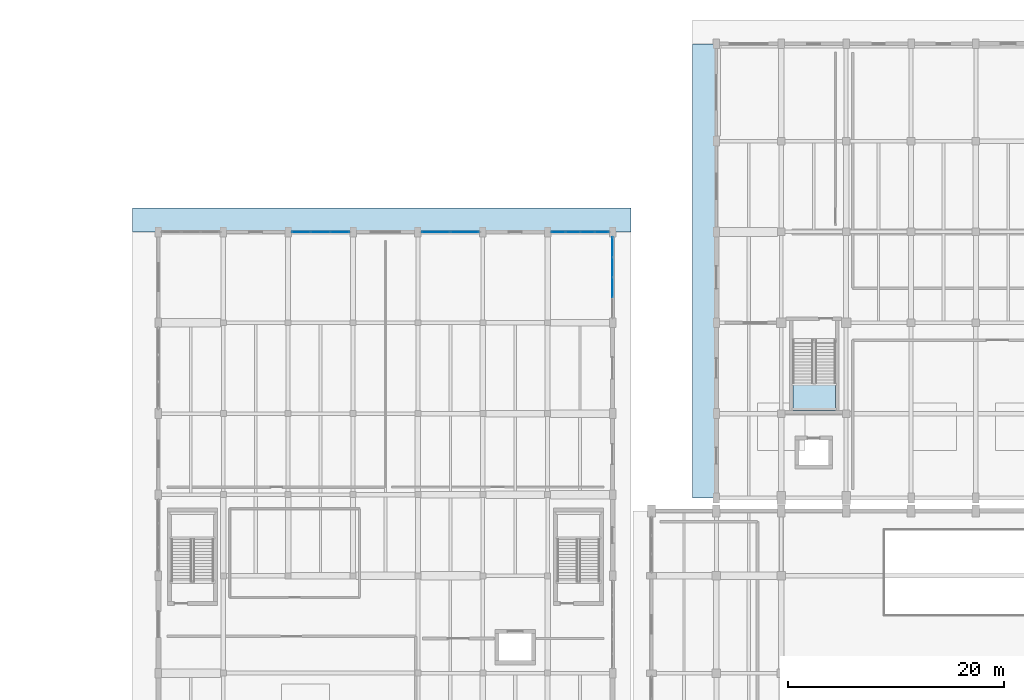
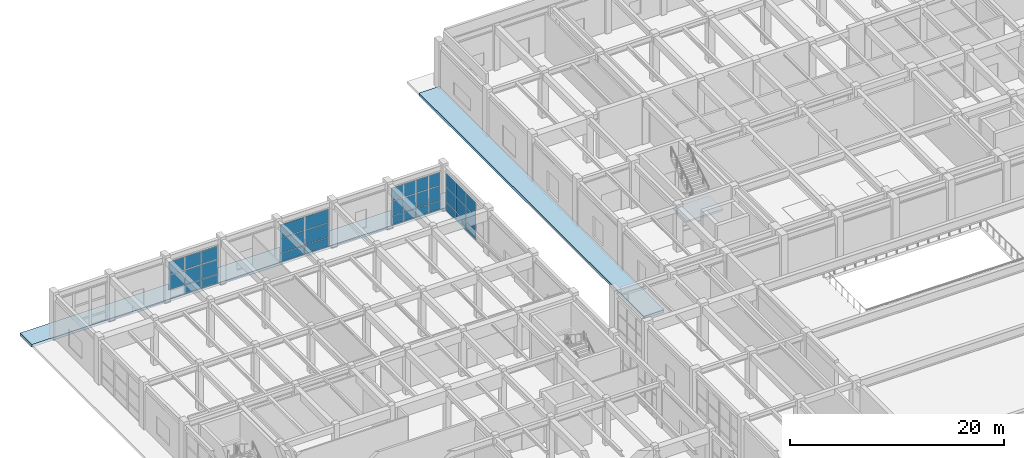
# One storey, part 65 of 91: 35 plates, 3 slabs, 5 elements without a shape of their own.
"""IFC4 building model written with IfcOpenShell, lengths in metres."""

from ifc_helpers import new_model, si_unit, direction, frame, origin, origin_2d, place, context, subcontext, project, spatial, polyline, rectangle, outline, extrude, material, layer, layer_set, type_object, element, aggregate, save


model = new_model("IFC4")

# Units and contexts
model_context = context("Model", 3, precision=1e-05, world=origin(), true_north=direction((0.0, 1.0)))
body_context = subcontext(model_context, "Body", "Model", "MODEL_VIEW")
ifc_project = project(units=[si_unit("LENGTHUNIT", "METRE"), si_unit("AREAUNIT", "SQUARE_METRE"), si_unit("VOLUMEUNIT", "CUBIC_METRE"), si_unit("PLANEANGLEUNIT", "RADIAN"), si_unit("MASSUNIT", "GRAM", prefix="KILO")], contexts=[model_context])

# Site, building, storey
site_placement = place(None, origin())
site = spatial("IfcSite", under=ifc_project, at=site_placement, CompositionType="ELEMENT")
building_placement = place(site_placement, origin())
building = spatial("IfcBuilding", under=site, at=building_placement, Name="Vaelkrest Opera House", CompositionType="ELEMENT")
storey_placement = place(building_placement, origin())
storey = spatial("IfcBuildingStorey", under=building, at=storey_placement, Name="L00", CompositionType="ELEMENT", Elevation=0.0)

# Curtain wall, plates
ifc_material_1 = material(Name="Dark bronze anodized aluminium", Category="aluminium")
ifc_layer_1 = layer(ifc_material_1, 0.18994140625)
ifc_layer_set_1 = layer_set([ifc_layer_1], Name="Dark bronze anodized aluminium")
curtain_wall_type_1 = type_object("IfcCurtainWallType", Name="CW02", PredefinedType="NOTDEFINED", material=ifc_layer_set_1)
curtain_wall_1_placement = place(storey_placement, origin())
curtain_wall_1 = element("IfcCurtainWall", 1, at=curtain_wall_1_placement, inside=storey, type_object=curtain_wall_type_1, Name="Curtain wall CW-L00-095", PredefinedType="NOTDEFINED")
ifc_material_2 = material(Name="Double low-E insulated glazing", Category="glass")
ifc_layer_2 = layer(ifc_material_2, 0.030029296875)
ifc_layer_set_2 = layer_set([ifc_layer_2], Name="Double low-E insulated glazing")
plate_type_1 = type_object("IfcPlateType", Name="CWP02", PredefinedType="CURTAIN_PANEL", material=ifc_layer_set_2)
plate_1_placement = place(storey_placement, frame((-38.60888671875, 42.0, 0.06982421875), z_axis=(0.0, 0.0, 1.0), x_axis=(1.0, 0.0, 0.0)))
plate_1 = element("IfcPlate", 2, at=plate_1_placement, type_object=plate_type_1, Name="CW02 panel 1.1", PredefinedType="CURTAIN_PANEL", context=body_context, shape_type="SweptSolid", body=[
    extrude(rectangle(XDim=1.24609375, YDim=0.030029296875, at=origin_2d()), origin(), (0.0, 0.0, 1.0), 0.945068359375),
])
plate_2_placement = place(storey_placement, frame((-38.60888671875, 42.0, 1.0849609375), z_axis=(0.0, 0.0, 1.0), x_axis=(1.0, 0.0, 0.0)))
plate_2 = element("IfcPlate", 3, at=plate_2_placement, type_object=plate_type_1, Name="CW02 panel 1.2", PredefinedType="CURTAIN_PANEL", context=body_context, shape_type="SweptSolid", body=[
    extrude(rectangle(XDim=1.24609375, YDim=0.030029296875, at=origin_2d()), origin(), (0.0, 0.0, 1.0), 1.6298828125),
])
plate_3_placement = place(storey_placement, frame((-38.60888671875, 42.0, 2.78515625), z_axis=(0.0, 0.0, 1.0), x_axis=(1.0, 0.0, 0.0)))
plate_3 = element("IfcPlate", 4, at=plate_3_placement, type_object=plate_type_1, Name="CW02 panel 1.3", PredefinedType="CURTAIN_PANEL", context=body_context, shape_type="SweptSolid", body=[
    extrude(rectangle(XDim=1.24609375, YDim=0.030029296875, at=origin_2d()), origin(), (0.0, 0.0, 1.0), 1.489990234375),
])
plate_4_placement = place(storey_placement, frame((-37.275390625, 42.0, 0.06982421875), z_axis=(0.0, 0.0, 1.0), x_axis=(1.0, 0.0, 0.0)))
plate_4 = element("IfcPlate", 5, at=plate_4_placement, type_object=plate_type_1, Name="CW02 panel 2.1", PredefinedType="CURTAIN_PANEL", context=body_context, shape_type="SweptSolid", body=[
    extrude(rectangle(XDim=1.281005859375, YDim=0.030029296875, at=origin_2d()), origin(), (0.0, 0.0, 1.0), 0.945068359375),
])
plate_5_placement = place(storey_placement, frame((-37.275390625, 42.0, 1.0849609375), z_axis=(0.0, 0.0, 1.0), x_axis=(1.0, 0.0, 0.0)))
plate_5 = element("IfcPlate", 6, at=plate_5_placement, type_object=plate_type_1, Name="CW02 panel 2.2", PredefinedType="CURTAIN_PANEL", context=body_context, shape_type="SweptSolid", body=[
    extrude(rectangle(XDim=1.281005859375, YDim=0.030029296875, at=origin_2d()), origin(), (0.0, 0.0, 1.0), 1.6298828125),
])
plate_6_placement = place(storey_placement, frame((-37.275390625, 42.0, 2.78515625), z_axis=(0.0, 0.0, 1.0), x_axis=(1.0, 0.0, 0.0)))
plate_6 = element("IfcPlate", 7, at=plate_6_placement, type_object=plate_type_1, Name="CW02 panel 2.3", PredefinedType="CURTAIN_PANEL", context=body_context, shape_type="SweptSolid", body=[
    extrude(rectangle(XDim=1.281005859375, YDim=0.030029296875, at=origin_2d()), origin(), (0.0, 0.0, 1.0), 1.489990234375),
])
plate_7_placement = place(storey_placement, frame((-35.924560546875, 42.0, 0.06982421875), z_axis=(0.0, 0.0, 1.0), x_axis=(1.0, 0.0, 0.0)))
plate_7 = element("IfcPlate", 8, at=plate_7_placement, type_object=plate_type_1, Name="CW02 panel 3.1", PredefinedType="CURTAIN_PANEL", context=body_context, shape_type="SweptSolid", body=[
    extrude(rectangle(XDim=1.281005859375, YDim=0.030029296875, at=origin_2d()), origin(), (0.0, 0.0, 1.0), 0.945068359375),
])
plate_8_placement = place(storey_placement, frame((-35.924560546875, 42.0, 1.0849609375), z_axis=(0.0, 0.0, 1.0), x_axis=(1.0, 0.0, 0.0)))
plate_8 = element("IfcPlate", 9, at=plate_8_placement, type_object=plate_type_1, Name="CW02 panel 3.2", PredefinedType="CURTAIN_PANEL", context=body_context, shape_type="SweptSolid", body=[
    extrude(rectangle(XDim=1.281005859375, YDim=0.030029296875, at=origin_2d()), origin(), (0.0, 0.0, 1.0), 1.6298828125),
])
plate_9_placement = place(storey_placement, frame((-35.924560546875, 42.0, 2.78515625), z_axis=(0.0, 0.0, 1.0), x_axis=(1.0, 0.0, 0.0)))
plate_9 = element("IfcPlate", 10, at=plate_9_placement, type_object=plate_type_1, Name="CW02 panel 3.3", PredefinedType="CURTAIN_PANEL", context=body_context, shape_type="SweptSolid", body=[
    extrude(rectangle(XDim=1.281005859375, YDim=0.030029296875, at=origin_2d()), origin(), (0.0, 0.0, 1.0), 1.489990234375),
])
plate_10_placement = place(storey_placement, frame((-34.591064453125, 42.0, 0.06982421875), z_axis=(0.0, 0.0, 1.0), x_axis=(1.0, 0.0, 0.0)))
plate_10 = element("IfcPlate", 11, at=plate_10_placement, type_object=plate_type_1, Name="CW02 panel 4.1", PredefinedType="CURTAIN_PANEL", context=body_context, shape_type="SweptSolid", body=[
    extrude(rectangle(XDim=1.24609375, YDim=0.030029296875, at=origin_2d()), origin(), (0.0, 0.0, 1.0), 0.945068359375),
])
plate_11_placement = place(storey_placement, frame((-34.591064453125, 42.0, 1.0849609375), z_axis=(0.0, 0.0, 1.0), x_axis=(1.0, 0.0, 0.0)))
plate_11 = element("IfcPlate", 12, at=plate_11_placement, type_object=plate_type_1, Name="CW02 panel 4.2", PredefinedType="CURTAIN_PANEL", context=body_context, shape_type="SweptSolid", body=[
    extrude(rectangle(XDim=1.24609375, YDim=0.030029296875, at=origin_2d()), origin(), (0.0, 0.0, 1.0), 1.6298828125),
])
plate_12_placement = place(storey_placement, frame((-34.591064453125, 42.0, 2.78515625), z_axis=(0.0, 0.0, 1.0), x_axis=(1.0, 0.0, 0.0)))
plate_12 = element("IfcPlate", 13, at=plate_12_placement, type_object=plate_type_1, Name="CW02 panel 4.3", PredefinedType="CURTAIN_PANEL", context=body_context, shape_type="SweptSolid", body=[
    extrude(rectangle(XDim=1.24609375, YDim=0.030029296875, at=origin_2d()), origin(), (0.0, 0.0, 1.0), 1.489990234375),
])
aggregate(curtain_wall_1, [plate_1, plate_2, plate_3, plate_4, plate_5, plate_6, plate_7, plate_8, plate_9, plate_10, plate_11, plate_12])

ifc_layer_3 = layer(ifc_material_1, 0.219970703125)
ifc_layer_set_3 = layer_set([ifc_layer_3], Name="Dark bronze anodized aluminium")
curtain_wall_type_2 = type_object("IfcCurtainWallType", Name="CW05", PredefinedType="NOTDEFINED", material=ifc_layer_set_3)
curtain_wall_2_placement = place(storey_placement, origin())
curtain_wall_2 = element("IfcCurtainWall", 14, at=curtain_wall_2_placement, inside=storey, type_object=curtain_wall_type_2, Name="Curtain wall CW-L00-096", PredefinedType="NOTDEFINED")
ifc_layer_4 = layer(ifc_material_2, 0.0419921875)
ifc_layer_set_4 = layer_set([ifc_layer_4], Name="Double low-E insulated glazing")
plate_type_2 = type_object("IfcPlateType", Name="CWP05", PredefinedType="CURTAIN_PANEL", material=ifc_layer_set_4)
plate_13_placement = place(storey_placement, frame((-33.60009765625, 40.59765625, 0.074951171875), z_axis=(0.0, 0.0, 1.0), x_axis=(0.0, -1.0, 0.0)))
plate_13 = element("IfcPlate", 15, at=plate_13_placement, type_object=plate_type_2, Name="CW05 panel 1.1", PredefinedType="CURTAIN_PANEL", context=body_context, shape_type="SweptSolid", body=[
    extrude(rectangle(XDim=1.778564453125, YDim=0.0419921875, at=origin_2d()), origin(), (0.0, 0.0, 1.0), 0.9375),
])
plate_14_placement = place(storey_placement, frame((-33.60009765625, 40.59765625, 1.08740234375), z_axis=(0.0, 0.0, 1.0), x_axis=(0.0, -1.0, 0.0)))
plate_14 = element("IfcPlate", 16, at=plate_14_placement, type_object=plate_type_2, Name="CW05 panel 1.2", PredefinedType="CURTAIN_PANEL", context=body_context, shape_type="SweptSolid", body=[
    extrude(rectangle(XDim=1.778564453125, YDim=0.0419921875, at=origin_2d()), origin(), (0.0, 0.0, 1.0), 1.625),
])
plate_15_placement = place(storey_placement, frame((-33.60009765625, 40.59765625, 2.78759765625), z_axis=(0.0, 0.0, 1.0), x_axis=(0.0, -1.0, 0.0)))
plate_15 = element("IfcPlate", 17, at=plate_15_placement, type_object=plate_type_2, Name="CW05 panel 1.3", PredefinedType="CURTAIN_PANEL", context=body_context, shape_type="SweptSolid", body=[
    extrude(rectangle(XDim=1.778564453125, YDim=0.0419921875, at=origin_2d()), origin(), (0.0, 0.0, 1.0), 1.56640625),
])
plate_16_placement = place(storey_placement, frame((-33.60009765625, 38.738037109375, 0.074951171875), z_axis=(0.0, 0.0, 1.0), x_axis=(0.0, -1.0, 0.0)))
plate_16 = element("IfcPlate", 18, at=plate_16_placement, type_object=plate_type_2, Name="CW05 panel 2.1", PredefinedType="CURTAIN_PANEL", context=body_context, shape_type="SweptSolid", body=[
    extrude(rectangle(XDim=1.81103515625, YDim=0.0419921875, at=origin_2d()), origin(), (0.0, 0.0, 1.0), 0.9375),
])
plate_17_placement = place(storey_placement, frame((-33.60009765625, 38.738037109375, 1.08740234375), z_axis=(0.0, 0.0, 1.0), x_axis=(0.0, -1.0, 0.0)))
plate_17 = element("IfcPlate", 19, at=plate_17_placement, type_object=plate_type_2, Name="CW05 panel 2.2", PredefinedType="CURTAIN_PANEL", context=body_context, shape_type="SweptSolid", body=[
    extrude(rectangle(XDim=1.81103515625, YDim=0.0419921875, at=origin_2d()), origin(), (0.0, 0.0, 1.0), 1.625),
])
plate_18_placement = place(storey_placement, frame((-33.60009765625, 38.738037109375, 2.78759765625), z_axis=(0.0, 0.0, 1.0), x_axis=(0.0, -1.0, 0.0)))
plate_18 = element("IfcPlate", 20, at=plate_18_placement, type_object=plate_type_2, Name="CW05 panel 2.3", PredefinedType="CURTAIN_PANEL", context=body_context, shape_type="SweptSolid", body=[
    extrude(rectangle(XDim=1.81103515625, YDim=0.0419921875, at=origin_2d()), origin(), (0.0, 0.0, 1.0), 1.56640625),
])
plate_19_placement = place(storey_placement, frame((-33.60009765625, 36.862060546875, 0.074951171875), z_axis=(0.0, 0.0, 1.0), x_axis=(0.0, -1.0, 0.0)))
plate_19 = element("IfcPlate", 21, at=plate_19_placement, type_object=plate_type_2, Name="CW05 panel 3.1", PredefinedType="CURTAIN_PANEL", context=body_context, shape_type="SweptSolid", body=[
    extrude(rectangle(XDim=1.81103515625, YDim=0.0419921875, at=origin_2d()), origin(), (0.0, 0.0, 1.0), 0.9375),
])
plate_20_placement = place(storey_placement, frame((-33.60009765625, 36.862060546875, 1.08740234375), z_axis=(0.0, 0.0, 1.0), x_axis=(0.0, -1.0, 0.0)))
plate_20 = element("IfcPlate", 22, at=plate_20_placement, type_object=plate_type_2, Name="CW05 panel 3.2", PredefinedType="CURTAIN_PANEL", context=body_context, shape_type="SweptSolid", body=[
    extrude(rectangle(XDim=1.81103515625, YDim=0.0419921875, at=origin_2d()), origin(), (0.0, 0.0, 1.0), 1.625),
])
plate_21_placement = place(storey_placement, frame((-33.60009765625, 36.862060546875, 2.78759765625), z_axis=(0.0, 0.0, 1.0), x_axis=(0.0, -1.0, 0.0)))
plate_21 = element("IfcPlate", 23, at=plate_21_placement, type_object=plate_type_2, Name="CW05 panel 3.3", PredefinedType="CURTAIN_PANEL", context=body_context, shape_type="SweptSolid", body=[
    extrude(rectangle(XDim=1.81103515625, YDim=0.0419921875, at=origin_2d()), origin(), (0.0, 0.0, 1.0), 1.56640625),
])
aggregate(curtain_wall_2, [plate_13, plate_14, plate_15, plate_16, plate_17, plate_18, plate_19, plate_20, plate_21])

ifc_layer_5 = layer(ifc_material_1, 0.22998046875)
ifc_layer_set_5 = layer_set([ifc_layer_5], Name="Dark bronze anodized aluminium")
curtain_wall_type_3 = type_object("IfcCurtainWallType", Name="CW06", PredefinedType="NOTDEFINED", material=ifc_layer_set_5)
curtain_wall_3_placement = place(storey_placement, origin())
curtain_wall_3 = element("IfcCurtainWall", 24, at=curtain_wall_3_placement, inside=storey, type_object=curtain_wall_type_3, Name="Curtain wall CW-L00-093", PredefinedType="NOTDEFINED")
ifc_material_3 = material(Name="Dark bronze anodized aluminium spandrel", Category="aluminium")
ifc_layer_6 = layer(ifc_material_3, 0.0458984375)
ifc_layer_set_6 = layer_set([ifc_layer_6], Name="Dark bronze anodized aluminium spandrel")
plate_type_3 = type_object("IfcPlateType", Name="CWP06", PredefinedType="CURTAIN_PANEL", material=ifc_layer_set_6)
plate_22_placement = place(storey_placement, frame((-62.3837890625, 42.0, 1.08984375), z_axis=(0.0, 0.0, 1.0), x_axis=(1.0, 0.0, 0.0)))
plate_22 = element("IfcPlate", 25, at=plate_22_placement, type_object=plate_type_3, Name="CW06 panel 1.2", PredefinedType="CURTAIN_PANEL", context=body_context, shape_type="SweptSolid", body=[
    extrude(rectangle(XDim=1.6962890625, YDim=0.0458984375, at=origin_2d()), origin(), (0.0, 0.0, 1.0), 1.6201171875),
])
plate_23_placement = place(storey_placement, frame((-62.3837890625, 42.0, 2.7900390625), z_axis=(0.0, 0.0, 1.0), x_axis=(1.0, 0.0, 0.0)))
plate_23 = element("IfcPlate", 26, at=plate_23_placement, type_object=plate_type_3, Name="CW06 panel 1.3", PredefinedType="CURTAIN_PANEL", context=body_context, shape_type="SweptSolid", body=[
    extrude(rectangle(XDim=1.6962890625, YDim=0.0458984375, at=origin_2d()), origin(), (0.0, 0.0, 1.0), 1.47509765625),
])
plate_24_placement = place(storey_placement, frame((-60.60009765625, 42.0, 0.080078125), z_axis=(0.0, 0.0, 1.0), x_axis=(1.0, 0.0, 0.0)))
plate_24 = element("IfcPlate", 27, at=plate_24_placement, type_object=plate_type_3, Name="CW06 panel 2.1", PredefinedType="CURTAIN_PANEL", context=body_context, shape_type="SweptSolid", body=[
    extrude(rectangle(XDim=1.7314453125, YDim=0.0458984375, at=origin_2d()), origin(), (0.0, 0.0, 1.0), 0.929931640625),
])
plate_25_placement = place(storey_placement, frame((-60.60009765625, 42.0, 1.08984375), z_axis=(0.0, 0.0, 1.0), x_axis=(1.0, 0.0, 0.0)))
plate_25 = element("IfcPlate", 28, at=plate_25_placement, type_object=plate_type_3, Name="CW06 panel 2.2", PredefinedType="CURTAIN_PANEL", context=body_context, shape_type="SweptSolid", body=[
    extrude(rectangle(XDim=1.7314453125, YDim=0.0458984375, at=origin_2d()), origin(), (0.0, 0.0, 1.0), 1.6201171875),
])
plate_26_placement = place(storey_placement, frame((-60.60009765625, 42.0, 2.7900390625), z_axis=(0.0, 0.0, 1.0), x_axis=(1.0, 0.0, 0.0)))
plate_26 = element("IfcPlate", 29, at=plate_26_placement, type_object=plate_type_3, Name="CW06 panel 2.3", PredefinedType="CURTAIN_PANEL", context=body_context, shape_type="SweptSolid", body=[
    extrude(rectangle(XDim=1.7314453125, YDim=0.0458984375, at=origin_2d()), origin(), (0.0, 0.0, 1.0), 1.47509765625),
])
plate_27_placement = place(storey_placement, frame((-58.816162109375, 42.0, 0.080078125), z_axis=(0.0, 0.0, 1.0), x_axis=(1.0, 0.0, 0.0)))
plate_27 = element("IfcPlate", 30, at=plate_27_placement, type_object=plate_type_3, Name="CW06 panel 3.1", PredefinedType="CURTAIN_PANEL", context=body_context, shape_type="SweptSolid", body=[
    extrude(rectangle(XDim=1.6962890625, YDim=0.0458984375, at=origin_2d()), origin(), (0.0, 0.0, 1.0), 0.929931640625),
])
plate_28_placement = place(storey_placement, frame((-58.816162109375, 42.0, 1.08984375), z_axis=(0.0, 0.0, 1.0), x_axis=(1.0, 0.0, 0.0)))
plate_28 = element("IfcPlate", 31, at=plate_28_placement, type_object=plate_type_3, Name="CW06 panel 3.2", PredefinedType="CURTAIN_PANEL", context=body_context, shape_type="SweptSolid", body=[
    extrude(rectangle(XDim=1.6962890625, YDim=0.0458984375, at=origin_2d()), origin(), (0.0, 0.0, 1.0), 1.6201171875),
])
plate_29_placement = place(storey_placement, frame((-58.816162109375, 42.0, 2.7900390625), z_axis=(0.0, 0.0, 1.0), x_axis=(1.0, 0.0, 0.0)))
plate_29 = element("IfcPlate", 32, at=plate_29_placement, type_object=plate_type_3, Name="CW06 panel 3.3", PredefinedType="CURTAIN_PANEL", context=body_context, shape_type="SweptSolid", body=[
    extrude(rectangle(XDim=1.6962890625, YDim=0.0458984375, at=origin_2d()), origin(), (0.0, 0.0, 1.0), 1.47509765625),
])
aggregate(curtain_wall_3, [plate_22, plate_23, plate_24, plate_25, plate_26, plate_27, plate_28, plate_29])

ifc_layer_7 = layer(ifc_material_1, 0.25)
ifc_layer_set_7 = layer_set([ifc_layer_7], Name="Dark bronze anodized aluminium")
curtain_wall_type_4 = type_object("IfcCurtainWallType", Name="CW08", PredefinedType="NOTDEFINED", material=ifc_layer_set_7)
curtain_wall_4_placement = place(storey_placement, origin())
curtain_wall_4 = element("IfcCurtainWall", 33, at=curtain_wall_4_placement, inside=storey, type_object=curtain_wall_type_4, Name="Curtain wall CW-L00-094", PredefinedType="NOTDEFINED")
ifc_layer_8 = layer(ifc_material_3, 0.05810546875)
ifc_layer_set_8 = layer_set([ifc_layer_8], Name="Dark bronze anodized aluminium spandrel")
plate_type_4 = type_object("IfcPlateType", Name="CWP08", PredefinedType="CURTAIN_PANEL", material=ifc_layer_set_8)
plate_30_placement = place(storey_placement, frame((-49.930908203125, 42.0, 0.06982421875), z_axis=(0.0, 0.0, 1.0), x_axis=(1.0, 0.0, 0.0)))
plate_30 = element("IfcPlate", 34, at=plate_30_placement, type_object=plate_type_4, Name="CW08 panel 1.1", PredefinedType="CURTAIN_PANEL", context=body_context, shape_type="SweptSolid", body=[
    extrude(rectangle(XDim=2.58203125, YDim=0.05810546875, at=origin_2d()), origin(), (0.0, 0.0, 1.0), 0.945068359375),
])
plate_31_placement = place(storey_placement, frame((-49.930908203125, 42.0, 1.0849609375), z_axis=(0.0, 0.0, 1.0), x_axis=(1.0, 0.0, 0.0)))
plate_31 = element("IfcPlate", 35, at=plate_31_placement, type_object=plate_type_4, Name="CW08 panel 1.2", PredefinedType="CURTAIN_PANEL", context=body_context, shape_type="SweptSolid", body=[
    extrude(rectangle(XDim=2.58203125, YDim=0.05810546875, at=origin_2d()), origin(), (0.0, 0.0, 1.0), 1.6298828125),
])
plate_32_placement = place(storey_placement, frame((-49.930908203125, 42.0, 2.78515625), z_axis=(0.0, 0.0, 1.0), x_axis=(1.0, 0.0, 0.0)))
plate_32 = element("IfcPlate", 36, at=plate_32_placement, type_object=plate_type_4, Name="CW08 panel 1.3", PredefinedType="CURTAIN_PANEL", context=body_context, shape_type="SweptSolid", body=[
    extrude(rectangle(XDim=2.58203125, YDim=0.05810546875, at=origin_2d()), origin(), (0.0, 0.0, 1.0), 1.489990234375),
])
plate_33_placement = place(storey_placement, frame((-47.26904296875, 42.0, 0.06982421875), z_axis=(0.0, 0.0, 1.0), x_axis=(1.0, 0.0, 0.0)))
plate_33 = element("IfcPlate", 37, at=plate_33_placement, type_object=plate_type_4, Name="CW08 panel 2.1", PredefinedType="CURTAIN_PANEL", context=body_context, shape_type="SweptSolid", body=[
    extrude(rectangle(XDim=2.58203125, YDim=0.05810546875, at=origin_2d()), origin(), (0.0, 0.0, 1.0), 0.945068359375),
])
plate_34_placement = place(storey_placement, frame((-47.26904296875, 42.0, 1.0849609375), z_axis=(0.0, 0.0, 1.0), x_axis=(1.0, 0.0, 0.0)))
plate_34 = element("IfcPlate", 38, at=plate_34_placement, type_object=plate_type_4, Name="CW08 panel 2.2", PredefinedType="CURTAIN_PANEL", context=body_context, shape_type="SweptSolid", body=[
    extrude(rectangle(XDim=2.58203125, YDim=0.05810546875, at=origin_2d()), origin(), (0.0, 0.0, 1.0), 1.6298828125),
])
plate_35_placement = place(storey_placement, frame((-47.26904296875, 42.0, 2.78515625), z_axis=(0.0, 0.0, 1.0), x_axis=(1.0, 0.0, 0.0)))
plate_35 = element("IfcPlate", 39, at=plate_35_placement, type_object=plate_type_4, Name="CW08 panel 2.3", PredefinedType="CURTAIN_PANEL", context=body_context, shape_type="SweptSolid", body=[
    extrude(rectangle(XDim=2.58203125, YDim=0.05810546875, at=origin_2d()), origin(), (0.0, 0.0, 1.0), 1.489990234375),
])
aggregate(curtain_wall_4, [plate_30, plate_31, plate_32, plate_33, plate_34, plate_35])

# Stair, slab
ifc_material_4 = material(Name="Concrete C40/50", Category="concrete")
stair_type = type_object("IfcStairType", Name="ST05", PredefinedType="TWO_STRAIGHT_RUN_STAIR", material=ifc_material_4)
stair_placement = place(storey_placement, origin())
stair = element("IfcStair", 40, at=stair_placement, inside=storey, type_object=stair_type, Name="L00 Protected exit stair ST05", PredefinedType="TWO_STRAIGHT_RUN_STAIR")
ifc_layer_9 = layer(ifc_material_4, 0.199951171875)
ifc_layer_set_9 = layer_set([ifc_layer_9], Name="Concrete C40/50")
slab_type_1 = type_object("IfcSlabType", Name="SLD01", PredefinedType="LANDING", material=ifc_layer_set_9)
slab_1_placement = place(storey_placement, frame((0.0, 0.0, 2.5)))
slab_1 = element("IfcSlab", 41, at=slab_1_placement, type_object=slab_type_1, Name="ST05 landing 1", PredefinedType="LANDING", context=body_context, shape_type="SweptSolid", body=[
    extrude(outline(polyline([(-16.89990234375, 28.030029296875), (-16.89990234375, 25.5), (-13.0, 25.5), (-13.0, 28.030029296875), (-16.89990234375, 28.030029296875)])), origin(), (0.0, 0.0, 1.0), 0.199951171875),
])
aggregate(stair, [slab_1])

# Slabs
ifc_layer_10 = layer(ifc_material_4, 0.294921875)
ifc_layer_set_10 = layer_set([ifc_layer_10], Name="Concrete C40/50")
slab_type_2 = type_object("IfcSlabType", Name="TS02", PredefinedType="FLOOR", material=ifc_layer_set_10)
slab_2_placement = place(storey_placement, frame((0.0, 0.0, -0.294921875)))
element("IfcSlab", 42, at=slab_2_placement, inside=storey, type_object=slab_type_2, Name="Exterior plaza walkway SLB-PLZ-V2-W", PredefinedType="FLOOR", context=body_context, shape_type="SweptSolid", body=[
    extrude(outline(polyline([(-26.199951171875, 17.39990234375), (-24.0, 17.39990234375), (-24.0, 59.39990234375), (-26.199951171875, 59.39990234375), (-26.199951171875, 17.39990234375)])), origin(), (0.0, 0.0, 1.0), 0.294921875),
])
slab_3_placement = place(storey_placement, frame((0.0, 0.0, -0.294921875)))
element("IfcSlab", 43, at=slab_3_placement, inside=storey, type_object=slab_type_2, Name="Exterior plaza walkway SLB-PLZ-V3-N", PredefinedType="FLOOR", context=body_context, shape_type="SweptSolid", body=[
    extrude(outline(polyline([(-78.0, 42.0), (-31.89990234375, 42.0), (-31.89990234375, 44.199951171875), (-78.0, 44.199951171875), (-78.0, 42.0)])), origin(), (0.0, 0.0, 1.0), 0.294921875),
])

save(model, "model.ifc")
